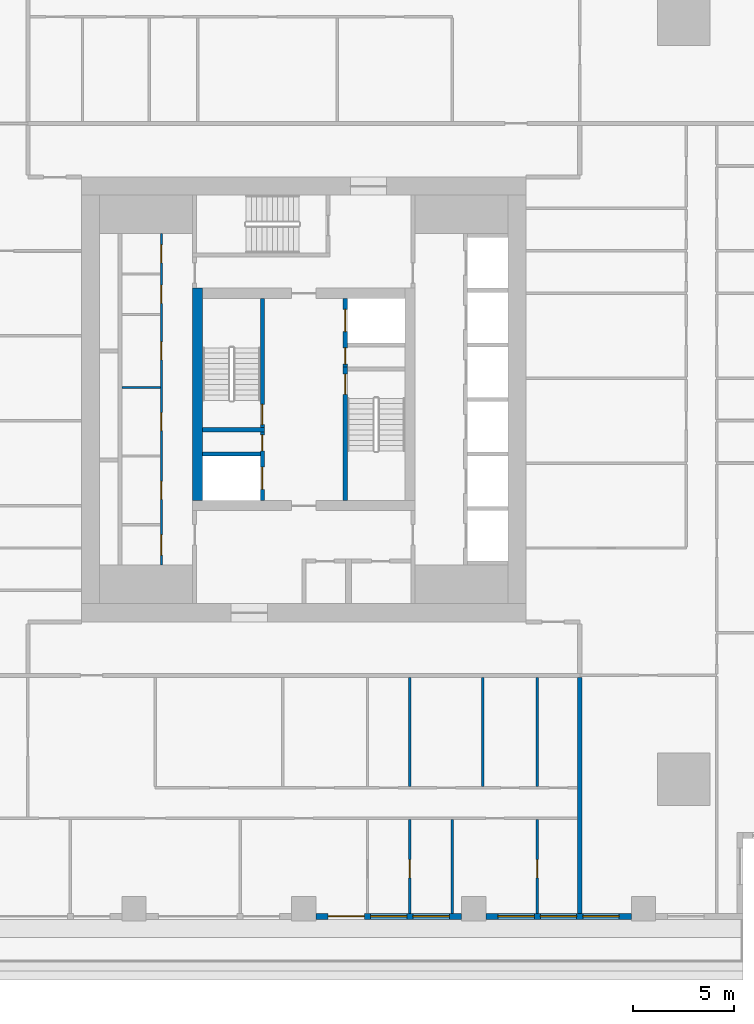
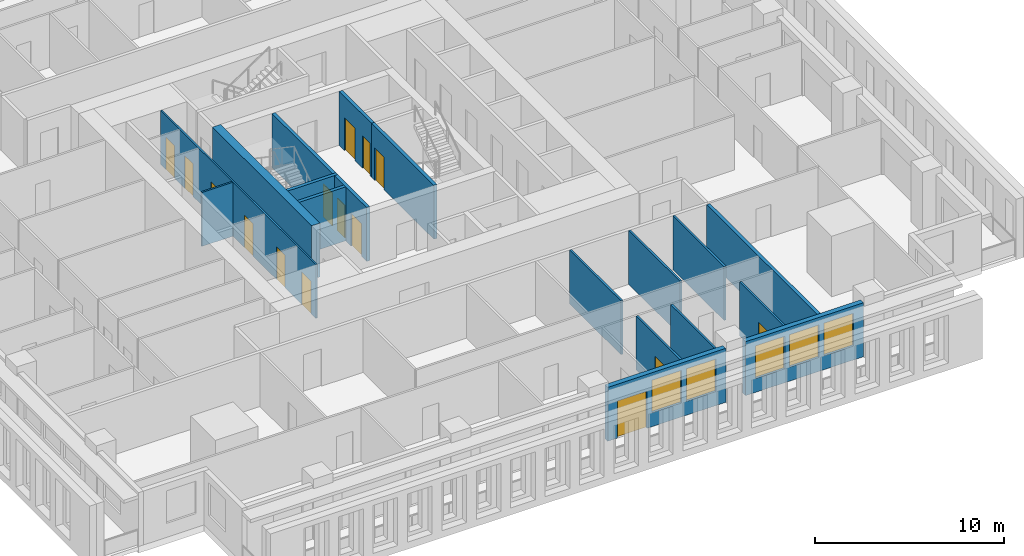
# One storey, part 4 of 15: 18 walls, 15 doors, 5 windows, 20 openings.
"""IFC4 building model written with IfcOpenShell, lengths in metres."""

from ifc_helpers import new_model, si_unit, direction, frame, frame_2d, origin, place, context, subcontext, project, spatial, rectangle, extrude, material, layer, layer_set, type_object, element, fill, save


model = new_model("IFC4")

# Units and contexts
model_context = context("Model", 3, precision=1e-05, world=origin(), true_north=direction((0.0, 1.0)))
body_context = subcontext(model_context, "Body", "Model", "MODEL_VIEW")
ifc_project = project(units=[si_unit("LENGTHUNIT", "METRE"), si_unit("AREAUNIT", "SQUARE_METRE"), si_unit("VOLUMEUNIT", "CUBIC_METRE"), si_unit("PLANEANGLEUNIT", "RADIAN"), si_unit("MASSUNIT", "GRAM", prefix="KILO")], contexts=[model_context])

# Site, building, storey
site_placement = place(None, origin())
site = spatial("IfcSite", under=ifc_project, at=site_placement, CompositionType="ELEMENT")
building_placement = place(site_placement, origin())
building = spatial("IfcBuilding", under=site, at=building_placement, Name="Khepri Terraces", CompositionType="ELEMENT")
storey_placement = place(building_placement, frame((0.0, 0.0, 145.5)))
storey = spatial("IfcBuildingStorey", under=building, at=storey_placement, Name="L34", CompositionType="ELEMENT", Elevation=145.5)

# Wall, opening, door
ifc_material_1 = material(Name="Concrete C60/75", Category="concrete")
ifc_layer_1 = layer(ifc_material_1, 0.199951171875, Name="Concrete C60/75", Category="concrete")
ifc_layer_set_1 = layer_set([ifc_layer_1], Name="Concrete C60/75")
wall_type_1 = type_object("IfcWallType", Name="Core wall 200 C60/75", PredefinedType="SHEAR", material=ifc_layer_set_1)
wall_1_placement = place(storey_placement, frame((2.050048828125, -5.0, 0.0), z_axis=(0.0, 0.0, 1.0), x_axis=(0.0, 1.0, 0.0)))
wall_1 = element("IfcWall", 1, at=wall_1_placement, inside=storey, type_object=wall_type_1, Name="Core wall ST01 L34", PredefinedType="SHEAR", context=body_context, shape_type="SweptSolid", body=[
    extrude(rectangle(XDim=6.60009765625, YDim=0.199951171875, at=frame_2d((3.300048828125, 0.0))), origin(), (0.0, 0.0, 1.0), 3.47998046875),
])
opening_1_placement = place(wall_1_placement, frame((5.25, 0.0, 0.0)))
opening_1 = element("IfcOpeningElement", 2, at=opening_1_placement, cuts=wall_1, Name="Opening L34-C10", PredefinedType="OPENING", context=body_context, shape_type="SweptSolid", body=[
    extrude(rectangle(XDim=1.0, YDim=2.10009765625, at=frame_2d((0.5, 1.050048828125))), frame((0.0, 0.10986328125, 0.0), z_axis=(0.0, -1.0, 0.0), x_axis=(1.0, 0.0, 0.0)), (0.0, 0.0, 1.0), 0.219970703125),
])
ifc_material_2 = material(Name="Painted steel", Category="steel")
door_type_1 = type_object("IfcDoorType", Name="DR-CORE-STAIR-1000", OperationType="NOTDEFINED", PredefinedType="DOOR", material=ifc_material_2)
door_1_placement = place(opening_1_placement, frame((1.0, 0.0, 0.0), z_axis=(0.0, 0.0, 1.0), x_axis=(-1.0, 0.0, 0.0)))
door_1 = element("IfcDoor", 3, at=door_1_placement, inside=storey, type_object=door_type_1, Name="Stair door L34-C10", OperationType="SINGLE_SWING_LEFT", OverallHeight=2.10009765625, OverallWidth=1.0, PredefinedType="DOOR", context=body_context, shape_type="SweptSolid", body=[
    extrude(rectangle(XDim=1.0, YDim=2.10009765625, at=frame_2d((0.5, 1.050048828125))), frame((0.0, 0.02490234375, 0.0), z_axis=(0.0, -1.0, 0.0), x_axis=(1.0, 0.0, 0.0)), (0.0, 0.0, 1.0), 0.050048828125),
])
fill(opening_1, door_1)

# Wall
wall_2_placement = place(storey_placement, frame((-5.0, -1.5, 0.0), z_axis=(0.0, 0.0, 1.0), x_axis=(1.0, 0.0, 0.0)))
element("IfcWall", 4, at=wall_2_placement, inside=storey, type_object=wall_type_1, Name="Core wall ST02 L34", PredefinedType="SHEAR", context=body_context, shape_type="SweptSolid", body=[
    extrude(rectangle(XDim=3.050048828125, YDim=0.199951171875, at=frame_2d((1.52490234375, 0.0))), origin(), (0.0, 0.0, 1.0), 3.47998046875),
])

# Wall, opening, door
wall_3_placement = place(storey_placement, frame((-2.050048828125, -1.39990234375, 0.0), z_axis=(0.0, 0.0, 1.0), x_axis=(0.0, 1.0, 0.0)))
wall_3 = element("IfcWall", 5, at=wall_3_placement, inside=storey, type_object=wall_type_1, Name="Core wall ST03 L34", PredefinedType="SHEAR", context=body_context, shape_type="SweptSolid", body=[
    extrude(rectangle(XDim=6.39990234375, YDim=0.199951171875, at=frame_2d((3.199951171875, 0.0))), origin(), (0.0, 0.0, 1.0), 3.47998046875),
])
opening_2_placement = place(wall_3_placement, frame((0.14990234375, 0.0, 0.0)))
opening_2 = element("IfcOpeningElement", 6, at=opening_2_placement, cuts=wall_3, Name="Opening L34-C09", PredefinedType="OPENING", context=body_context, shape_type="SweptSolid", body=[
    extrude(rectangle(XDim=1.0, YDim=2.10009765625, at=frame_2d((0.5, 1.050048828125))), frame((0.0, 0.10986328125, 0.0), z_axis=(0.0, -1.0, 0.0), x_axis=(1.0, 0.0, 0.0)), (0.0, 0.0, 1.0), 0.219970703125),
])
door_2_placement = place(opening_2_placement, origin())
door_2 = element("IfcDoor", 7, at=door_2_placement, inside=storey, type_object=door_type_1, Name="Stair door L34-C09", OperationType="SINGLE_SWING_LEFT", OverallHeight=2.10009765625, OverallWidth=1.0, PredefinedType="DOOR", context=body_context, shape_type="SweptSolid", body=[
    extrude(rectangle(XDim=1.0, YDim=2.10009765625, at=frame_2d((0.5, 1.050048828125))), frame((0.0, 0.02490234375, 0.0), z_axis=(0.0, -1.0, 0.0), x_axis=(1.0, 0.0, 0.0)), (0.0, 0.0, 1.0), 0.050048828125),
])
fill(opening_2, door_2)

# Wall, openings, doors
wall_4_placement = place(storey_placement, frame((-2.050048828125, -5.0, 0.0), z_axis=(0.0, 0.0, 1.0), x_axis=(0.0, 1.0, 0.0)))
wall_4 = element("IfcWall", 8, at=wall_4_placement, inside=storey, type_object=wall_type_1, Name="Core wall SH05 L34", PredefinedType="SHEAR", context=body_context, shape_type="SweptSolid", body=[
    extrude(rectangle(XDim=3.39990234375, YDim=0.199951171875, at=frame_2d((1.699951171875, 0.0))), origin(), (0.0, 0.0, 1.0), 3.47998046875),
])
opening_3_placement = place(wall_4_placement, frame((0.550048828125, 0.0, 0.0)))
opening_3 = element("IfcOpeningElement", 9, at=opening_3_placement, cuts=wall_4, Name="Opening L34-C08", PredefinedType="OPENING", context=body_context, shape_type="SweptSolid", body=[
    extrude(rectangle(XDim=1.10009765625, YDim=2.10009765625, at=frame_2d((0.550048828125, 1.050048828125))), frame((0.0, 0.10986328125, 0.0), z_axis=(0.0, -1.0, 0.0), x_axis=(1.0, 0.0, 0.0)), (0.0, 0.0, 1.0), 0.219970703125),
])
opening_4_placement = place(wall_4_placement, frame((2.449951171875, 0.0, 0.0)))
opening_4 = element("IfcOpeningElement", 10, at=opening_4_placement, cuts=wall_4, Name="Opening L34-C12", PredefinedType="OPENING", context=body_context, shape_type="SweptSolid", body=[
    extrude(rectangle(XDim=0.800048828125, YDim=2.10009765625, at=frame_2d((0.39990234375, 1.050048828125))), frame((0.0, 0.10986328125, 0.0), z_axis=(0.0, -1.0, 0.0), x_axis=(1.0, 0.0, 0.0)), (0.0, 0.0, 1.0), 0.219970703125),
])
ifc_material_3 = material(Name="Stainless steel 304", Category="steel")
door_type_2 = type_object("IfcDoorType", Name="DR-CORE-FF-LANDING-1100", OperationType="NOTDEFINED", PredefinedType="DOOR", material=ifc_material_3)
door_3_placement = place(opening_3_placement, origin())
door_3 = element("IfcDoor", 11, at=door_3_placement, inside=storey, type_object=door_type_2, Name="Firefighting lift landing door L34-C08", OperationType="SLIDING_TO_LEFT", OverallHeight=2.10009765625, OverallWidth=1.10009765625, PredefinedType="DOOR", context=body_context, shape_type="SweptSolid", body=[
    extrude(rectangle(XDim=1.10009765625, YDim=2.10009765625, at=frame_2d((0.550048828125, 1.050048828125))), frame((0.0, 0.02490234375, 0.0), z_axis=(0.0, -1.0, 0.0), x_axis=(1.0, 0.0, 0.0)), (0.0, 0.0, 1.0), 0.050048828125),
])
fill(opening_3, door_3)
door_type_3 = type_object("IfcDoorType", Name="DR-CORE-RISER-800", OperationType="NOTDEFINED", PredefinedType="DOOR", material=ifc_material_2)
door_4_placement = place(opening_4_placement, origin())
door_4 = element("IfcDoor", 12, at=door_4_placement, inside=storey, type_object=door_type_3, Name="Riser door L34-C12", OperationType="SINGLE_SWING_RIGHT", OverallHeight=2.10009765625, OverallWidth=0.800048828125, PredefinedType="DOOR", context=body_context, shape_type="SweptSolid", body=[
    extrude(rectangle(XDim=0.800048828125, YDim=2.10009765625, at=frame_2d((0.39990234375, 1.050048828125))), frame((0.0, 0.02490234375, 0.0), z_axis=(0.0, -1.0, 0.0), x_axis=(1.0, 0.0, 0.0)), (0.0, 0.0, 1.0), 0.050048828125),
])
fill(opening_4, door_4)

# Wall
wall_5_placement = place(storey_placement, frame((-5.0, -2.699951171875, 0.0), z_axis=(0.0, 0.0, 1.0), x_axis=(1.0, 0.0, 0.0)))
element("IfcWall", 13, at=wall_5_placement, inside=storey, type_object=wall_type_1, Name="Core wall SH07 L34", PredefinedType="SHEAR", context=body_context, shape_type="SweptSolid", body=[
    extrude(rectangle(XDim=2.85009765625, YDim=0.199951171875, at=frame_2d((1.425048828125, 0.0))), origin(), (0.0, 0.0, 1.0), 3.47998046875),
])

# Wall, openings, doors
wall_6_placement = place(storey_placement, frame((2.050048828125, 1.60009765625, 0.0), z_axis=(0.0, 0.0, 1.0), x_axis=(0.0, 1.0, 0.0)))
wall_6 = element("IfcWall", 14, at=wall_6_placement, inside=storey, type_object=wall_type_1, Name="Core wall SH10 L34", PredefinedType="SHEAR", context=body_context, shape_type="SweptSolid", body=[
    extrude(rectangle(XDim=3.39990234375, YDim=0.199951171875, at=frame_2d((1.699951171875, 0.0))), origin(), (0.0, 0.0, 1.0), 3.47998046875),
])
opening_5_placement = place(wall_6_placement, frame((1.75, 0.0, 0.0)))
opening_5 = element("IfcOpeningElement", 15, at=opening_5_placement, cuts=wall_6, Name="Opening L34-C07", PredefinedType="OPENING", context=body_context, shape_type="SweptSolid", body=[
    extrude(rectangle(XDim=1.10009765625, YDim=2.10009765625, at=frame_2d((0.550048828125, 1.050048828125))), frame((0.0, 0.10986328125, 0.0), z_axis=(0.0, -1.0, 0.0), x_axis=(1.0, 0.0, 0.0)), (0.0, 0.0, 1.0), 0.219970703125),
])
opening_6_placement = place(wall_6_placement, frame((0.14990234375, 0.0, 0.0)))
opening_6 = element("IfcOpeningElement", 16, at=opening_6_placement, cuts=wall_6, Name="Opening L34-C11", PredefinedType="OPENING", context=body_context, shape_type="SweptSolid", body=[
    extrude(rectangle(XDim=0.800048828125, YDim=2.10009765625, at=frame_2d((0.39990234375, 1.050048828125))), frame((0.0, 0.10986328125, 0.0), z_axis=(0.0, -1.0, 0.0), x_axis=(1.0, 0.0, 0.0)), (0.0, 0.0, 1.0), 0.219970703125),
])
door_5_placement = place(opening_5_placement, origin())
door_5 = element("IfcDoor", 17, at=door_5_placement, inside=storey, type_object=door_type_2, Name="Firefighting lift landing door L34-C07", OperationType="SLIDING_TO_LEFT", OverallHeight=2.10009765625, OverallWidth=1.10009765625, PredefinedType="DOOR", context=body_context, shape_type="SweptSolid", body=[
    extrude(rectangle(XDim=1.10009765625, YDim=2.10009765625, at=frame_2d((0.550048828125, 1.050048828125))), frame((0.0, 0.02490234375, 0.0), z_axis=(0.0, -1.0, 0.0), x_axis=(1.0, 0.0, 0.0)), (0.0, 0.0, 1.0), 0.050048828125),
])
fill(opening_5, door_5)
door_6_placement = place(opening_6_placement, frame((0.800048828125, 0.0, 0.0), z_axis=(0.0, 0.0, 1.0), x_axis=(-1.0, 0.0, 0.0)))
door_6 = element("IfcDoor", 18, at=door_6_placement, inside=storey, type_object=door_type_3, Name="Riser door L34-C11", OperationType="SINGLE_SWING_RIGHT", OverallHeight=2.10009765625, OverallWidth=0.800048828125, PredefinedType="DOOR", context=body_context, shape_type="SweptSolid", body=[
    extrude(rectangle(XDim=0.800048828125, YDim=2.10009765625, at=frame_2d((0.39990234375, 1.050048828125))), frame((0.0, 0.02490234375, 0.0), z_axis=(0.0, -1.0, 0.0), x_axis=(1.0, 0.0, 0.0)), (0.0, 0.0, 1.0), 0.050048828125),
])
fill(opening_6, door_6)

# Wall
ifc_layer_2 = layer(ifc_material_1, 0.5, Name="Concrete C60/75", Category="concrete")
ifc_layer_set_2 = layer_set([ifc_layer_2], Name="Concrete C60/75")
wall_type_2 = type_object("IfcWallType", Name="Core wall 500 C60/75", PredefinedType="SHEAR", material=ifc_layer_set_2)
wall_7_placement = place(storey_placement, frame((-5.25, -5.0, 0.0), z_axis=(0.0, 0.0, 1.0), x_axis=(0.0, 1.0, 0.0)))
element("IfcWall", 19, at=wall_7_placement, inside=storey, type_object=wall_type_2, Name="Core wall BX02 L34", PredefinedType="SHEAR", context=body_context, shape_type="SweptSolid", body=[
    extrude(rectangle(XDim=10.5, YDim=0.5, at=frame_2d((5.25, 0.0))), origin(), (0.0, 0.0, 1.0), 3.47998046875),
])

# Wall, openings, doors
ifc_material_4 = material(Name="Fire-rated gypsum board partition")
ifc_layer_3 = layer(ifc_material_4, 0.10009765625, Name="Fire-rated gypsum board partition")
ifc_layer_set_3 = layer_set([ifc_layer_3], Name="Fire-rated gypsum board partition")
wall_type_3 = type_object("IfcWallType", Name="WL-CORE-PART-100", PredefinedType="PARTITIONING", material=ifc_layer_set_3)
wall_8_placement = place(storey_placement, frame((-7.050048828125, -8.199951171875, 0.0), z_axis=(0.0, 0.0, 1.0), x_axis=(0.0, 1.0, 0.0)))
wall_8 = element("IfcWall", 20, at=wall_8_placement, inside=storey, type_object=wall_type_3, Name="Core partition PT05 L34", PredefinedType="PARTITIONING", context=body_context, shape_type="SweptSolid", body=[
    extrude(rectangle(XDim=16.39990234375, YDim=0.10009765625, at=frame_2d((8.199951171875, 0.0))), origin(), (0.0, 0.0, 1.0), 3.47998046875),
])
opening_7_placement = place(wall_8_placement, frame((0.5, 0.0, 0.0)))
opening_7 = element("IfcOpeningElement", 21, at=opening_7_placement, cuts=wall_8, Name="Opening L34-C24", PredefinedType="OPENING", context=body_context, shape_type="SweptSolid", body=[
    extrude(rectangle(XDim=1.0, YDim=2.10009765625, at=frame_2d((0.5, 1.050048828125))), frame((0.0, 0.06005859375, 0.0), z_axis=(0.0, -1.0, 0.0), x_axis=(1.0, 0.0, 0.0)), (0.0, 0.0, 1.0), 0.1201171875),
])
opening_8_placement = place(wall_8_placement, frame((3.25, 0.0, 0.0)))
opening_8 = element("IfcOpeningElement", 22, at=opening_8_placement, cuts=wall_8, Name="Opening L34-C25", PredefinedType="OPENING", context=body_context, shape_type="SweptSolid", body=[
    extrude(rectangle(XDim=0.89990234375, YDim=2.10009765625, at=frame_2d((0.449951171875, 1.050048828125))), frame((0.0, 0.06005859375, 0.0), z_axis=(0.0, -1.0, 0.0), x_axis=(1.0, 0.0, 0.0)), (0.0, 0.0, 1.0), 0.1201171875),
])
opening_9_placement = place(wall_8_placement, frame((6.64990234375, 0.0, 0.0)))
opening_9 = element("IfcOpeningElement", 23, at=opening_9_placement, cuts=wall_8, Name="Opening L34-C26", PredefinedType="OPENING", context=body_context, shape_type="SweptSolid", body=[
    extrude(rectangle(XDim=0.89990234375, YDim=2.10009765625, at=frame_2d((0.449951171875, 1.050048828125))), frame((0.0, 0.06005859375, 0.0), z_axis=(0.0, -1.0, 0.0), x_axis=(1.0, 0.0, 0.0)), (0.0, 0.0, 1.0), 0.1201171875),
])
opening_10_placement = place(wall_8_placement, frame((10.14990234375, 0.0, 0.0)))
opening_10 = element("IfcOpeningElement", 24, at=opening_10_placement, cuts=wall_8, Name="Opening L34-C27", PredefinedType="OPENING", context=body_context, shape_type="SweptSolid", body=[
    extrude(rectangle(XDim=0.89990234375, YDim=2.10009765625, at=frame_2d((0.449951171875, 1.050048828125))), frame((0.0, 0.06005859375, 0.0), z_axis=(0.0, -1.0, 0.0), x_axis=(1.0, 0.0, 0.0)), (0.0, 0.0, 1.0), 0.1201171875),
])
opening_11_placement = place(wall_8_placement, frame((12.949951171875, 0.0, 0.0)))
opening_11 = element("IfcOpeningElement", 25, at=opening_11_placement, cuts=wall_8, Name="Opening L34-C28", PredefinedType="OPENING", context=body_context, shape_type="SweptSolid", body=[
    extrude(rectangle(XDim=0.89990234375, YDim=2.10009765625, at=frame_2d((0.449951171875, 1.050048828125))), frame((0.0, 0.06005859375, 0.0), z_axis=(0.0, -1.0, 0.0), x_axis=(1.0, 0.0, 0.0)), (0.0, 0.0, 1.0), 0.1201171875),
])
opening_12_placement = place(wall_8_placement, frame((14.949951171875, 0.0, 0.0)))
opening_12 = element("IfcOpeningElement", 26, at=opening_12_placement, cuts=wall_8, Name="Opening L34-C29", PredefinedType="OPENING", context=body_context, shape_type="SweptSolid", body=[
    extrude(rectangle(XDim=0.89990234375, YDim=2.10009765625, at=frame_2d((0.449951171875, 1.050048828125))), frame((0.0, 0.06005859375, 0.0), z_axis=(0.0, -1.0, 0.0), x_axis=(1.0, 0.0, 0.0)), (0.0, 0.0, 1.0), 0.1201171875),
])
door_type_4 = type_object("IfcDoorType", Name="DR-CORE-SERVICE-900", OperationType="NOTDEFINED", PredefinedType="DOOR", material=ifc_material_2)
door_7_placement = place(opening_8_placement, origin())
door_7 = element("IfcDoor", 27, at=door_7_placement, inside=storey, type_object=door_type_4, Name="Service room door L34-C25", OperationType="SINGLE_SWING_LEFT", OverallHeight=2.10009765625, OverallWidth=0.89990234375, PredefinedType="DOOR", context=body_context, shape_type="SweptSolid", body=[
    extrude(rectangle(XDim=0.89990234375, YDim=2.10009765625, at=frame_2d((0.449951171875, 1.050048828125))), frame((0.0, 0.02490234375, 0.0), z_axis=(0.0, -1.0, 0.0), x_axis=(1.0, 0.0, 0.0)), (0.0, 0.0, 1.0), 0.050048828125),
])
fill(opening_8, door_7)
door_8_placement = place(opening_9_placement, origin())
door_8 = element("IfcDoor", 28, at=door_8_placement, inside=storey, type_object=door_type_4, Name="Service room door L34-C26", OperationType="SINGLE_SWING_LEFT", OverallHeight=2.10009765625, OverallWidth=0.89990234375, PredefinedType="DOOR", context=body_context, shape_type="SweptSolid", body=[
    extrude(rectangle(XDim=0.89990234375, YDim=2.10009765625, at=frame_2d((0.449951171875, 1.050048828125))), frame((0.0, 0.02490234375, 0.0), z_axis=(0.0, -1.0, 0.0), x_axis=(1.0, 0.0, 0.0)), (0.0, 0.0, 1.0), 0.050048828125),
])
fill(opening_9, door_8)
door_9_placement = place(opening_10_placement, origin())
door_9 = element("IfcDoor", 29, at=door_9_placement, inside=storey, type_object=door_type_4, Name="Service room door L34-C27", OperationType="SINGLE_SWING_RIGHT", OverallHeight=2.10009765625, OverallWidth=0.89990234375, PredefinedType="DOOR", context=body_context, shape_type="SweptSolid", body=[
    extrude(rectangle(XDim=0.89990234375, YDim=2.10009765625, at=frame_2d((0.449951171875, 1.050048828125))), frame((0.0, 0.02490234375, 0.0), z_axis=(0.0, -1.0, 0.0), x_axis=(1.0, 0.0, 0.0)), (0.0, 0.0, 1.0), 0.050048828125),
])
fill(opening_10, door_9)
door_10_placement = place(opening_11_placement, origin())
door_10 = element("IfcDoor", 30, at=door_10_placement, inside=storey, type_object=door_type_4, Name="Service room door L34-C28", OperationType="SINGLE_SWING_RIGHT", OverallHeight=2.10009765625, OverallWidth=0.89990234375, PredefinedType="DOOR", context=body_context, shape_type="SweptSolid", body=[
    extrude(rectangle(XDim=0.89990234375, YDim=2.10009765625, at=frame_2d((0.449951171875, 1.050048828125))), frame((0.0, 0.02490234375, 0.0), z_axis=(0.0, -1.0, 0.0), x_axis=(1.0, 0.0, 0.0)), (0.0, 0.0, 1.0), 0.050048828125),
])
fill(opening_11, door_10)
door_11_placement = place(opening_12_placement, origin())
door_11 = element("IfcDoor", 31, at=door_11_placement, inside=storey, type_object=door_type_4, Name="Service room door L34-C29", OperationType="SINGLE_SWING_RIGHT", OverallHeight=2.10009765625, OverallWidth=0.89990234375, PredefinedType="DOOR", context=body_context, shape_type="SweptSolid", body=[
    extrude(rectangle(XDim=0.89990234375, YDim=2.10009765625, at=frame_2d((0.449951171875, 1.050048828125))), frame((0.0, 0.02490234375, 0.0), z_axis=(0.0, -1.0, 0.0), x_axis=(1.0, 0.0, 0.0)), (0.0, 0.0, 1.0), 0.050048828125),
])
fill(opening_12, door_11)
ifc_material_5 = material(Name="Timber veneer", Category="wood")
door_type_5 = type_object("IfcDoorType", Name="DR-CORE-WC-1000", OperationType="NOTDEFINED", PredefinedType="DOOR", material=ifc_material_5)
door_12_placement = place(opening_7_placement, origin())
door_12 = element("IfcDoor", 32, at=door_12_placement, inside=storey, type_object=door_type_5, Name="WC door L34-C24", OperationType="SINGLE_SWING_LEFT", OverallHeight=2.10009765625, OverallWidth=1.0, PredefinedType="DOOR", context=body_context, shape_type="SweptSolid", body=[
    extrude(rectangle(XDim=1.0, YDim=2.10009765625, at=frame_2d((0.5, 1.050048828125))), frame((0.0, 0.02490234375, 0.0), z_axis=(0.0, -1.0, 0.0), x_axis=(1.0, 0.0, 0.0)), (0.0, 0.0, 1.0), 0.050048828125),
])
fill(opening_7, door_12)

# Walls
wall_9_placement = place(storey_placement, frame((-9.0, 0.60009765625, 0.0), z_axis=(0.0, 0.0, 1.0), x_axis=(1.0, 0.0, 0.0)))
element("IfcWall", 33, at=wall_9_placement, inside=storey, type_object=wall_type_3, Name="Core partition PT10 L34", PredefinedType="PARTITIONING", context=body_context, shape_type="SweptSolid", body=[
    extrude(rectangle(XDim=1.89990234375, YDim=0.10009765625, at=frame_2d((0.949951171875, 0.0))), origin(), (0.0, 0.0, 1.0), 3.47998046875),
])
ifc_material_6 = material(Name="Fire-rated gypsum plasterboard partition, mineral wool")
ifc_layer_4 = layer(ifc_material_6, 0.199951171875, Name="Fire-rated gypsum plasterboard partition, mineral wool")
ifc_layer_set_4 = layer_set([ifc_layer_4], Name="Fire-rated gypsum plasterboard partition, mineral wool")
wall_type_4 = type_object("IfcWallType", Name="WL-CORR-200", PredefinedType="PARTITIONING", material=ifc_layer_set_4)
wall_10_placement = place(storey_placement, frame((13.64990234375, -25.419921875, 0.0), z_axis=(0.0, 0.0, 1.0), x_axis=(0.0, 1.0, 0.0)))
element("IfcWall", 34, at=wall_10_placement, inside=storey, type_object=wall_type_4, Name="Partition P-007 L34", PredefinedType="PARTITIONING", context=body_context, shape_type="SweptSolid", body=[
    extrude(rectangle(XDim=11.669921875, YDim=0.199951171875, at=frame_2d((5.8349609375, 0.0))), origin(), (0.0, 0.0, 1.0), 3.47998046875),
])

# Wall, openings, door, windows
ifc_material_7 = material(Name="Precast concrete C50/60 warm stone", Category="masonry")
ifc_layer_5 = layer(ifc_material_7, 0.300048828125, Name="Precast concrete C50/60 warm stone", Category="masonry")
ifc_layer_set_5 = layer_set([ifc_layer_5], Name="Precast concrete C50/60 warm stone")
wall_type_5 = type_object("IfcWallType", Name="WL-EXT-PRECAST-300", PredefinedType="STANDARD", material=ifc_layer_set_5)
wall_11_placement = place(storey_placement, frame((0.60009765625, -25.570068359375, 0.0), z_axis=(0.0, 0.0, 1.0), x_axis=(1.0, 0.0, 0.0)))
wall_11 = element("IfcWall", 35, at=wall_11_placement, inside=storey, type_object=wall_type_5, Name="External wall L34 S", PredefinedType="STANDARD", context=body_context, shape_type="SweptSolid", body=[
    extrude(rectangle(XDim=7.199951171875, YDim=0.300048828125, at=frame_2d((3.60009765625, 0.0))), origin(), (0.0, 0.0, 1.0), 3.47998046875),
])
opening_13_placement = place(wall_11_placement, frame((0.60009765625, 0.0, 0.0)))
opening_13 = element("IfcOpeningElement", 36, at=opening_13_placement, cuts=wall_11, Name="Opening ED-L34-19", PredefinedType="OPENING", context=body_context, shape_type="SweptSolid", body=[
    extrude(rectangle(XDim=1.800048828125, YDim=2.39990234375, at=frame_2d((0.89990234375, 1.199951171875))), frame((0.0, 0.16015625, 0.0), z_axis=(0.0, -1.0, 0.0), x_axis=(1.0, 0.0, 0.0)), (0.0, 0.0, 1.0), 0.320068359375),
])
opening_14_placement = place(wall_11_placement, frame((2.699951171875, 0.0, 0.89990234375)))
opening_14 = element("IfcOpeningElement", 37, at=opening_14_placement, cuts=wall_11, Name="Opening W1", PredefinedType="OPENING", context=body_context, shape_type="SweptSolid", body=[
    extrude(rectangle(XDim=1.800048828125, YDim=2.10009765625, at=frame_2d((0.89990234375, 1.050048828125))), frame((0.0, 0.16015625, 0.0), z_axis=(0.0, -1.0, 0.0), x_axis=(1.0, 0.0, 0.0)), (0.0, 0.0, 1.0), 0.320068359375),
])
opening_15_placement = place(wall_11_placement, frame((4.800048828125, 0.0, 0.89990234375)))
opening_15 = element("IfcOpeningElement", 38, at=opening_15_placement, cuts=wall_11, Name="Opening W1", PredefinedType="OPENING", context=body_context, shape_type="SweptSolid", body=[
    extrude(rectangle(XDim=1.800048828125, YDim=2.10009765625, at=frame_2d((0.89990234375, 1.050048828125))), frame((0.0, 0.16015625, 0.0), z_axis=(0.0, -1.0, 0.0), x_axis=(1.0, 0.0, 0.0)), (0.0, 0.0, 1.0), 0.320068359375),
])
ifc_material_8 = material(Name="Anodised aluminium bronze glazed door", Category="aluminium")
door_type_6 = type_object("IfcDoorType", Name="DR-BAL-SLIDE-1800x2400", OperationType="NOTDEFINED", PredefinedType="DOOR", material=ifc_material_8)
door_13_placement = place(opening_13_placement, origin())
door_13 = element("IfcDoor", 39, at=door_13_placement, inside=storey, type_object=door_type_6, Name="Balcony door L34 S", OperationType="SLIDING_TO_LEFT", OverallHeight=2.39990234375, OverallWidth=1.800048828125, PredefinedType="DOOR", context=body_context, shape_type="SweptSolid", body=[
    extrude(rectangle(XDim=1.800048828125, YDim=2.39990234375, at=frame_2d((0.89990234375, 1.199951171875))), frame((0.0, 0.02490234375, 0.0), z_axis=(0.0, -1.0, 0.0), x_axis=(1.0, 0.0, 0.0)), (0.0, 0.0, 1.0), 0.050048828125),
])
fill(opening_13, door_13)
ifc_material_9 = material(Name="Clear glass", Category="glass")
window_type = type_object("IfcWindowType", Name="WIN-RES-1800x2100", PartitioningType="SINGLE_PANEL", PredefinedType="WINDOW", material=ifc_material_9)
window_1_placement = place(opening_14_placement, origin())
window_1 = element("IfcWindow", 40, at=window_1_placement, inside=storey, type_object=window_type, Name="Window L34 S", OverallHeight=2.10009765625, OverallWidth=1.800048828125, PartitioningType="SINGLE_PANEL", PredefinedType="WINDOW", context=body_context, shape_type="SweptSolid", body=[
    extrude(rectangle(XDim=1.800048828125, YDim=2.10009765625, at=frame_2d((0.89990234375, 1.050048828125))), frame((0.0, 0.030029296875, 0.0), z_axis=(0.0, -1.0, 0.0), x_axis=(1.0, 0.0, 0.0)), (0.0, 0.0, 1.0), 0.06005859375),
])
fill(opening_14, window_1)
window_2_placement = place(opening_15_placement, origin())
window_2 = element("IfcWindow", 41, at=window_2_placement, inside=storey, type_object=window_type, Name="Window L34 S", OverallHeight=2.10009765625, OverallWidth=1.800048828125, PartitioningType="SINGLE_PANEL", PredefinedType="WINDOW", context=body_context, shape_type="SweptSolid", body=[
    extrude(rectangle(XDim=1.800048828125, YDim=2.10009765625, at=frame_2d((0.89990234375, 1.050048828125))), frame((0.0, 0.030029296875, 0.0), z_axis=(0.0, -1.0, 0.0), x_axis=(1.0, 0.0, 0.0)), (0.0, 0.0, 1.0), 0.06005859375),
])
fill(opening_15, window_2)

# Wall, openings, windows
wall_12_placement = place(storey_placement, frame((9.0, -25.570068359375, 0.0), z_axis=(0.0, 0.0, 1.0), x_axis=(1.0, 0.0, 0.0)))
wall_12 = element("IfcWall", 42, at=wall_12_placement, inside=storey, type_object=wall_type_5, Name="External wall L34 S", PredefinedType="STANDARD", context=body_context, shape_type="SweptSolid", body=[
    extrude(rectangle(XDim=7.199951171875, YDim=0.300048828125, at=frame_2d((3.60009765625, 0.0))), origin(), (0.0, 0.0, 1.0), 3.47998046875),
])
opening_16_placement = place(wall_12_placement, frame((0.60009765625, 0.0, 0.89990234375)))
opening_16 = element("IfcOpeningElement", 43, at=opening_16_placement, cuts=wall_12, Name="Opening W1", PredefinedType="OPENING", context=body_context, shape_type="SweptSolid", body=[
    extrude(rectangle(XDim=1.800048828125, YDim=2.10009765625, at=frame_2d((0.89990234375, 1.050048828125))), frame((0.0, 0.16015625, 0.0), z_axis=(0.0, -1.0, 0.0), x_axis=(1.0, 0.0, 0.0)), (0.0, 0.0, 1.0), 0.320068359375),
])
opening_17_placement = place(wall_12_placement, frame((2.699951171875, 0.0, 0.89990234375)))
opening_17 = element("IfcOpeningElement", 44, at=opening_17_placement, cuts=wall_12, Name="Opening W1", PredefinedType="OPENING", context=body_context, shape_type="SweptSolid", body=[
    extrude(rectangle(XDim=1.800048828125, YDim=2.10009765625, at=frame_2d((0.89990234375, 1.050048828125))), frame((0.0, 0.16015625, 0.0), z_axis=(0.0, -1.0, 0.0), x_axis=(1.0, 0.0, 0.0)), (0.0, 0.0, 1.0), 0.320068359375),
])
opening_18_placement = place(wall_12_placement, frame((4.800048828125, 0.0, 0.89990234375)))
opening_18 = element("IfcOpeningElement", 45, at=opening_18_placement, cuts=wall_12, Name="Opening W1", PredefinedType="OPENING", context=body_context, shape_type="SweptSolid", body=[
    extrude(rectangle(XDim=1.800048828125, YDim=2.10009765625, at=frame_2d((0.89990234375, 1.050048828125))), frame((0.0, 0.16015625, 0.0), z_axis=(0.0, -1.0, 0.0), x_axis=(1.0, 0.0, 0.0)), (0.0, 0.0, 1.0), 0.320068359375),
])
window_3_placement = place(opening_16_placement, origin())
window_3 = element("IfcWindow", 46, at=window_3_placement, inside=storey, type_object=window_type, Name="Window L34 S", OverallHeight=2.10009765625, OverallWidth=1.800048828125, PartitioningType="SINGLE_PANEL", PredefinedType="WINDOW", context=body_context, shape_type="SweptSolid", body=[
    extrude(rectangle(XDim=1.800048828125, YDim=2.10009765625, at=frame_2d((0.89990234375, 1.050048828125))), frame((0.0, 0.030029296875, 0.0), z_axis=(0.0, -1.0, 0.0), x_axis=(1.0, 0.0, 0.0)), (0.0, 0.0, 1.0), 0.06005859375),
])
fill(opening_16, window_3)
window_4_placement = place(opening_17_placement, origin())
window_4 = element("IfcWindow", 47, at=window_4_placement, inside=storey, type_object=window_type, Name="Window L34 S", OverallHeight=2.10009765625, OverallWidth=1.800048828125, PartitioningType="SINGLE_PANEL", PredefinedType="WINDOW", context=body_context, shape_type="SweptSolid", body=[
    extrude(rectangle(XDim=1.800048828125, YDim=2.10009765625, at=frame_2d((0.89990234375, 1.050048828125))), frame((0.0, 0.030029296875, 0.0), z_axis=(0.0, -1.0, 0.0), x_axis=(1.0, 0.0, 0.0)), (0.0, 0.0, 1.0), 0.06005859375),
])
fill(opening_17, window_4)
window_5_placement = place(opening_18_placement, origin())
window_5 = element("IfcWindow", 48, at=window_5_placement, inside=storey, type_object=window_type, Name="Window L34 S", OverallHeight=2.10009765625, OverallWidth=1.800048828125, PartitioningType="SINGLE_PANEL", PredefinedType="WINDOW", context=body_context, shape_type="SweptSolid", body=[
    extrude(rectangle(XDim=1.800048828125, YDim=2.10009765625, at=frame_2d((0.89990234375, 1.050048828125))), frame((0.0, 0.030029296875, 0.0), z_axis=(0.0, -1.0, 0.0), x_axis=(1.0, 0.0, 0.0)), (0.0, 0.0, 1.0), 0.06005859375),
])
fill(opening_18, window_5)

# Wall, opening, door
ifc_material_10 = material(Name="Gypsum plasterboard partition")
ifc_layer_6 = layer(ifc_material_10, 0.1201171875, Name="Gypsum plasterboard partition")
ifc_layer_set_6 = layer_set([ifc_layer_6], Name="Gypsum plasterboard partition")
wall_type_6 = type_object("IfcWallType", Name="WL-PART-120", PredefinedType="PARTITIONING", material=ifc_layer_set_6)
wall_13_placement = place(storey_placement, frame((5.25, -25.419921875, 0.0), z_axis=(0.0, 0.0, 1.0), x_axis=(0.0, 1.0, 0.0)))
wall_13 = element("IfcWall", 49, at=wall_13_placement, inside=storey, type_object=wall_type_6, Name="Partition P-004 L34", PredefinedType="PARTITIONING", context=body_context, shape_type="SweptSolid", body=[
    extrude(rectangle(XDim=4.639892578125, YDim=0.1201171875, at=frame_2d((2.31982421875, 0.0))), origin(), (0.0, 0.0, 1.0), 3.47998046875),
])
opening_19_placement = place(wall_13_placement, frame((1.75, 0.0, 0.0)))
opening_19 = element("IfcOpeningElement", 50, at=opening_19_placement, cuts=wall_13, Name="Opening D4", PredefinedType="OPENING", context=body_context, shape_type="SweptSolid", body=[
    extrude(rectangle(XDim=0.89990234375, YDim=2.10009765625, at=frame_2d((0.449951171875, 1.050048828125))), frame((0.0, 0.070068359375, 0.0), z_axis=(0.0, -1.0, 0.0), x_axis=(1.0, 0.0, 0.0)), (0.0, 0.0, 1.0), 0.14013671875),
])
ifc_material_11 = material(Name="Timber door leaf, moisture resistant", Category="wood")
door_type_7 = type_object("IfcDoorType", Name="DR-WET-900", OperationType="NOTDEFINED", PredefinedType="DOOR", material=ifc_material_11)
door_14_placement = place(opening_19_placement, frame((0.89990234375, 0.0, 0.0), z_axis=(0.0, 0.0, 1.0), x_axis=(-1.0, 0.0, 0.0)))
door_14 = element("IfcDoor", 51, at=door_14_placement, inside=storey, type_object=door_type_7, Name="Door Bathroom", OperationType="SINGLE_SWING_RIGHT", OverallHeight=2.10009765625, OverallWidth=0.89990234375, PredefinedType="DOOR", context=body_context, shape_type="SweptSolid", body=[
    extrude(rectangle(XDim=0.89990234375, YDim=2.10009765625, at=frame_2d((0.449951171875, 1.050048828125))), frame((0.0, 0.02490234375, 0.0), z_axis=(0.0, -1.0, 0.0), x_axis=(1.0, 0.0, 0.0)), (0.0, 0.0, 1.0), 0.050048828125),
])
fill(opening_19, door_14)

# Wall
wall_14_placement = place(storey_placement, frame((7.35009765625, -25.419921875, 0.0), z_axis=(0.0, 0.0, 1.0), x_axis=(0.0, 1.0, 0.0)))
element("IfcWall", 52, at=wall_14_placement, inside=storey, type_object=wall_type_6, Name="Partition P-005 L34", PredefinedType="PARTITIONING", context=body_context, shape_type="SweptSolid", body=[
    extrude(rectangle(XDim=4.639892578125, YDim=0.1201171875, at=frame_2d((2.31982421875, 0.0))), origin(), (0.0, 0.0, 1.0), 3.47998046875),
])

# Wall, opening, door
wall_15_placement = place(storey_placement, frame((11.550048828125, -25.419921875, 0.0), z_axis=(0.0, 0.0, 1.0), x_axis=(0.0, 1.0, 0.0)))
wall_15 = element("IfcWall", 53, at=wall_15_placement, inside=storey, type_object=wall_type_6, Name="Partition P-006 L34", PredefinedType="PARTITIONING", context=body_context, shape_type="SweptSolid", body=[
    extrude(rectangle(XDim=4.639892578125, YDim=0.1201171875, at=frame_2d((2.31982421875, 0.0))), origin(), (0.0, 0.0, 1.0), 3.47998046875),
])
opening_20_placement = place(wall_15_placement, frame((1.75, 0.0, 0.0)))
opening_20 = element("IfcOpeningElement", 54, at=opening_20_placement, cuts=wall_15, Name="Opening D4", PredefinedType="OPENING", context=body_context, shape_type="SweptSolid", body=[
    extrude(rectangle(XDim=0.89990234375, YDim=2.10009765625, at=frame_2d((0.449951171875, 1.050048828125))), frame((0.0, 0.070068359375, 0.0), z_axis=(0.0, -1.0, 0.0), x_axis=(1.0, 0.0, 0.0)), (0.0, 0.0, 1.0), 0.14013671875),
])
door_15_placement = place(opening_20_placement, frame((0.89990234375, 0.0, 0.0), z_axis=(0.0, 0.0, 1.0), x_axis=(-1.0, 0.0, 0.0)))
door_15 = element("IfcDoor", 55, at=door_15_placement, inside=storey, type_object=door_type_7, Name="Door Bathroom", OperationType="SINGLE_SWING_RIGHT", OverallHeight=2.10009765625, OverallWidth=0.89990234375, PredefinedType="DOOR", context=body_context, shape_type="SweptSolid", body=[
    extrude(rectangle(XDim=0.89990234375, YDim=2.10009765625, at=frame_2d((0.449951171875, 1.050048828125))), frame((0.0, 0.02490234375, 0.0), z_axis=(0.0, -1.0, 0.0), x_axis=(1.0, 0.0, 0.0)), (0.0, 0.0, 1.0), 0.050048828125),
])
fill(opening_20, door_15)

# Walls
for number, where, z_axis, x_axis, name in (
    (56, (5.25, -19.159912109375, 0.0), (0.0, 0.0, 1.0), (0.0, 1.0, 0.0), "Partition P-015 L34"),
    (57, (8.85009765625, -19.159912109375, 0.0), (0.0, 0.0, 1.0), (0.0, 1.0, 0.0), "Partition P-016 L34"),
    (58, (11.550048828125, -19.159912109375, 0.0), (0.0, 0.0, 1.0), (0.0, 1.0, 0.0), "Partition P-017 L34"),
):
    element("IfcWall", number, at=place(storey_placement, frame(where, z_axis=z_axis, x_axis=x_axis)), inside=storey, type_object=wall_type_6, Name=name, PredefinedType="PARTITIONING", context=body_context, shape_type="SweptSolid", body=[
        extrude(rectangle(XDim=5.409912109375, YDim=0.1201171875, at=frame_2d((2.705078125, 0.0))), origin(), (0.0, 0.0, 1.0), 3.47998046875),
    ])

save(model, "model.ifc")
